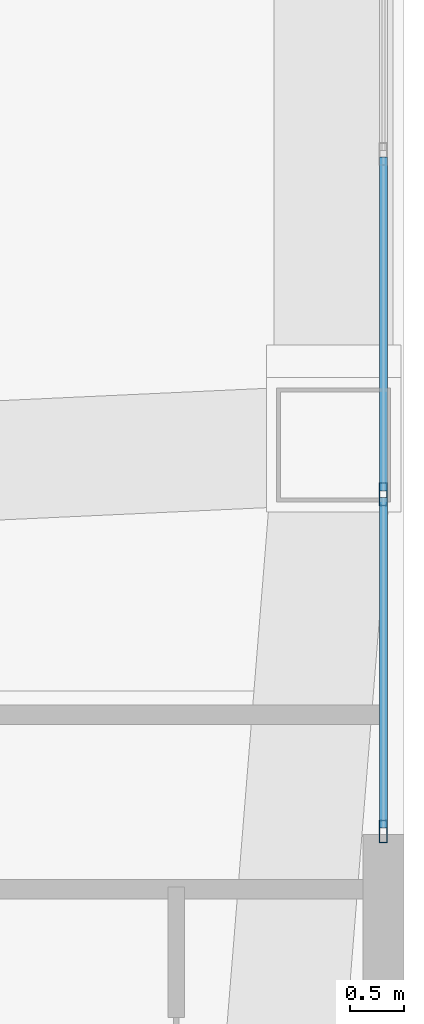
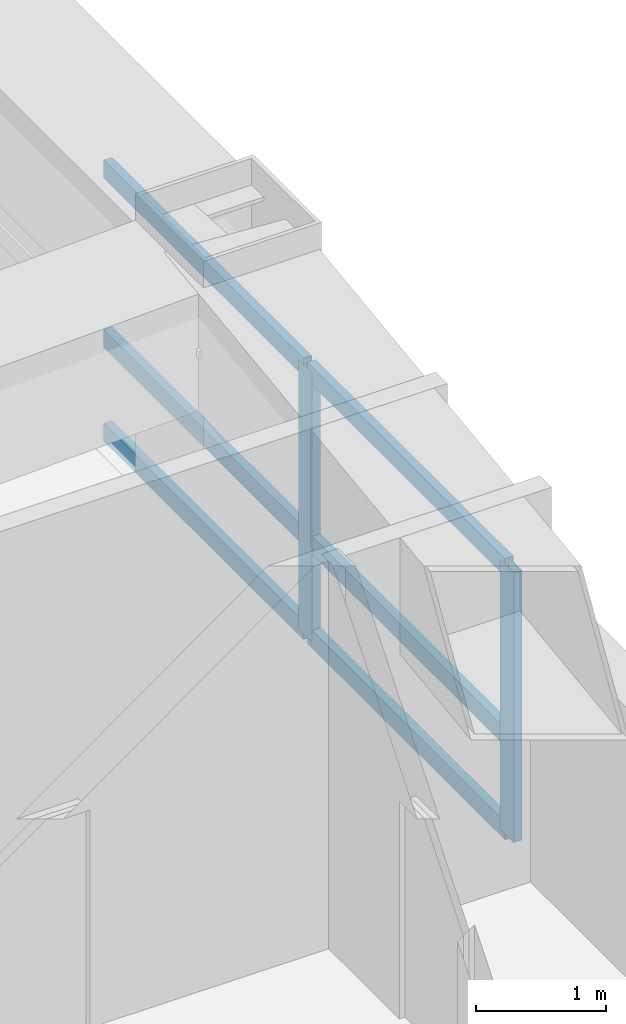
# One storey, part 2 of 16: 8 members, 1 element without a shape of its own.
"""IFC4 building model written with IfcOpenShell, lengths in metres."""

import ifcopenshell
import ifcopenshell.guid

model = None  # the IFC model being written
_history = None  # IfcOwnerHistory: only IFC2X3 demands one
_inside = {}  # id of a spatial element -> (the spatial element, [elements in it])
_under = {}  # id of a project, library or spatial element -> (it, [spatial elements below it])
_declared = {}  # id of a project -> (the project, [libraries it declares])
_typed = {}  # id of a type object -> (the type object, [elements of that type])
_made_of = {}  # id of a material, layer set ... -> (it, [elements and type objects made of it])


def new_model(schema):
    """Start an empty IFC model of exactly this schema.

    Asked for "IFC4X3", IfcOpenShell would pick the latest addendum, in which some entities
    have other attributes; the version numbers below select the first issue.
    IFC2X3 requires an IfcOwnerHistory on every rooted entity: one is made here for all.
    """
    global model, _history
    if schema == "IFC4X3":
        model = ifcopenshell.file(schema_version=(4, 3, 0, 0))
    else:
        model = ifcopenshell.file(schema=schema)
    _inside.clear()
    _under.clear()
    _declared.clear()
    _typed.clear()
    _made_of.clear()
    _history = None
    if model.schema == "IFC2X3":
        org = make("IfcOrganization", Name="unknown")
        user = make(
            "IfcPersonAndOrganization",
            ThePerson=make("IfcPerson", FamilyName="unknown"),
            TheOrganization=org,
        )
        app = make(
            "IfcApplication",
            ApplicationDeveloper=org,
            Version="unknown",
            ApplicationFullName="unknown",
            ApplicationIdentifier="unknown",
        )
        _history = make(
            "IfcOwnerHistory",
            OwningUser=user,
            OwningApplication=app,
            ChangeAction="ADDED",
            CreationDate=0,
        )
    return model


def make(cls, **values):
    """One entity of the class cls with the attributes given. An attribute that is None is left unset."""
    return model.create_entity(
        cls, **{name: value for name, value in values.items() if value is not None}
    )


def rooted(cls, **values):
    """An entity with a GlobalId (a new one), such as an element, a storey or a relation."""
    return make(cls, GlobalId=ifcopenshell.guid.new(), OwnerHistory=_history, **values)


def si_unit(unit_type, name, prefix=None):
    """IfcSIUnit, for example si_unit("LENGTHUNIT", "METRE", prefix="MILLI")."""
    return make("IfcSIUnit", UnitType=unit_type, Prefix=prefix, Name=name)


def assignment(units):
    """IfcUnitAssignment: the units of a project."""
    return None if units is None else make("IfcUnitAssignment", Units=units)


def point(xyz):
    """IfcCartesianPoint."""
    return None if xyz is None else make("IfcCartesianPoint", Coordinates=xyz)


def direction(xyz):
    """IfcDirection."""
    return None if xyz is None else make("IfcDirection", DirectionRatios=xyz)


def frame(location, z_axis=None, x_axis=None):
    """IfcAxis2Placement3D, a coordinate frame: its origin and axes. An axis left out is left unset."""
    return make(
        "IfcAxis2Placement3D",
        Location=point(location),
        Axis=direction(z_axis),
        RefDirection=direction(x_axis),
    )


def frame_2d(location, x_axis=None):
    """IfcAxis2Placement2D, a coordinate frame in the plane: its origin and x axis."""
    return make(
        "IfcAxis2Placement2D", Location=point(location), RefDirection=direction(x_axis)
    )


def origin():
    """The frame at (0, 0, 0) with its axes left unset."""
    return frame((0.0, 0.0, 0.0))


def origin_2d():
    """The frame at (0, 0) in the plane with its x axis left unset."""
    return frame_2d((0.0, 0.0))


def place(relative_to, where):
    """IfcLocalPlacement: puts the frame where relative to a parent placement (None: the world)."""
    return make(
        "IfcLocalPlacement", PlacementRelTo=relative_to, RelativePlacement=where
    )


def context(
    kind, dimensions, precision=None, world=None, true_north=None, identifier=None
):
    """IfcGeometricRepresentationContext, for example the 3D "Model" context."""
    return make(
        "IfcGeometricRepresentationContext",
        ContextIdentifier=identifier,
        ContextType=kind,
        CoordinateSpaceDimension=dimensions,
        Precision=precision,
        WorldCoordinateSystem=world,
        TrueNorth=true_north,
    )


def subcontext(parent, identifier, kind, view, scale=None):
    """IfcGeometricRepresentationSubContext, for example "Body" below "Model"."""
    return make(
        "IfcGeometricRepresentationSubContext",
        ContextIdentifier=identifier,
        ContextType=kind,
        ParentContext=parent,
        TargetScale=scale,
        TargetView=view,
    )


def project(units=None, contexts=None):
    """IfcProject with its units and contexts."""
    return rooted(
        "IfcProject",
        Name="project",
        RepresentationContexts=contexts,
        UnitsInContext=assignment(units),
    )


def spatial(cls, under=None, at=None, **own):
    """A site, building, storey or space (cls), placed at a placement, below another one or the project."""
    s = rooted(cls, ObjectPlacement=at, **own)
    if under is not None:
        _under.setdefault(under.id(), (under, []))[1].append(s)
    return s


def profile(cls, at=None, kind="AREA", **sizes):
    """A parametric profile (cls). Its sizes go by their IFC names, for example OverallWidth=200.0."""
    return make(cls, ProfileType=kind, Position=at, **sizes)


def hollow_rectangle(**sizes):
    """IfcRectangleHollowProfileDef."""
    return profile("IfcRectangleHollowProfileDef", **sizes)


def extrude(swept, where, along, depth):
    """IfcExtrudedAreaSolid: the profile swept, set in the frame where, extruded along a direction by depth."""
    return make(
        "IfcExtrudedAreaSolid",
        SweptArea=swept,
        Position=where,
        ExtrudedDirection=direction(along),
        Depth=depth,
    )


def shape(context_of_items, identifier, shape_type, items):
    """IfcShapeRepresentation: the items that make up one representation, for example the "Body"."""
    return make(
        "IfcShapeRepresentation",
        ContextOfItems=context_of_items,
        RepresentationIdentifier=identifier,
        RepresentationType=shape_type,
        Items=items,
    )


def material(Name=None, Category=None):
    """IfcMaterial."""
    return make("IfcMaterial", Name=Name, Category=Category)


def layer(
    of_material, thickness, ventilated=None, Name=None, Category=None, Priority=None
):
    """IfcMaterialLayer: one layer of a wall or slab, of a material (None: an air gap)."""
    return make(
        "IfcMaterialLayer",
        Material=of_material,
        LayerThickness=thickness,
        IsVentilated=ventilated,
        Name=Name,
        Category=Category,
        Priority=Priority,
    )


def layer_set(layers, Name=None):
    """IfcMaterialLayerSet."""
    return make("IfcMaterialLayerSet", MaterialLayers=layers, LayerSetName=Name)


def material_profile(
    of_material, cross_section, Name=None, Category=None, Priority=None
):
    """IfcMaterialProfile: a cross section and its material."""
    return make(
        "IfcMaterialProfile",
        Name=Name,
        Material=of_material,
        Profile=cross_section,
        Priority=Priority,
        Category=Category,
    )


def profile_set(profiles, Name=None, composite=None):
    """IfcMaterialProfileSet."""
    return make(
        "IfcMaterialProfileSet",
        Name=Name,
        MaterialProfiles=profiles,
        CompositeProfile=composite,
    )


def made_of(thing, what):
    """Note that an element or type object is made of a material, layer set ...; save() writes the relation."""
    if what is not None:
        _made_of.setdefault(what.id(), (what, []))[1].append(thing)
    return thing


def type_object(cls, material=None, **own):
    """A type object (cls), such as IfcWallType, which elements share."""
    return made_of(rooted(cls, **own), material)


def element(
    cls,
    number,
    at=None,
    inside=None,
    cuts=None,
    type_object=None,
    material=None,
    context=None,
    identifier="Body",
    shape_type=None,
    held_by="IfcProductDefinitionShape",
    body=None,
    shapes=None,
    **own,
):
    """One element of the class cls, such as IfcWall. Its Tag is "e" and its number.

    at: its placement. inside: the storey or other place that contains it. cuts: it is an
    opening in that element (IfcRelVoidsElement). A single representation is given by context,
    identifier, shape_type and body (its items); several are given by shapes. held_by: the class
    of the entity that holds the representations. save() writes the other relations.
    """
    e = rooted(cls, Tag="e%d" % number, ObjectPlacement=at, **own)
    if body is not None:
        shapes = [shape(context, identifier, shape_type, body)]
    if shapes is not None:
        e.Representation = make(held_by, Representations=shapes)
    if inside is not None:
        _inside.setdefault(inside.id(), (inside, []))[1].append(e)
    if cuts is not None:
        rooted(
            "IfcRelVoidsElement", RelatingBuildingElement=cuts, RelatedOpeningElement=e
        )
    if type_object is not None:
        _typed.setdefault(type_object.id(), (type_object, []))[1].append(e)
    return made_of(e, material)


def aggregate(whole, parts):
    """IfcRelAggregates: a whole, such as a stair, and the parts it consists of."""
    return rooted("IfcRelAggregates", RelatingObject=whole, RelatedObjects=parts)


def save(model, path):
    """Write the relations noted so far, then the file.

    IfcRelAggregates (storeys below a building ...), IfcRelContainedInSpatialStructure (elements
    in a storey), IfcRelDefinesByType, IfcRelAssociatesMaterial and IfcRelDeclares: one each for
    every whole, place, type object, material and project.
    """
    for whole, parts in _under.values():
        aggregate(whole, parts)
    for where, things in _inside.values():
        rooted(
            "IfcRelContainedInSpatialStructure",
            RelatedElements=things,
            RelatingStructure=where,
        )
    for kind, things in _typed.values():
        rooted("IfcRelDefinesByType", RelatedObjects=things, RelatingType=kind)
    for what, things in _made_of.values():
        rooted("IfcRelAssociatesMaterial", RelatedObjects=things, RelatingMaterial=what)
    for by, libraries in _declared.values():
        rooted("IfcRelDeclares", RelatingContext=by, RelatedDefinitions=libraries)
    model.write(path)


model = new_model("IFC4")

# Units and contexts
model_context = context("Model", 3, precision=1e-05, world=origin(), true_north=direction((0.0, 1.0)))
body_context = subcontext(model_context, "Body", "Model", "MODEL_VIEW")
ifc_project = project(units=[si_unit("LENGTHUNIT", "METRE"), si_unit("AREAUNIT", "SQUARE_METRE"), si_unit("VOLUMEUNIT", "CUBIC_METRE"), si_unit("PLANEANGLEUNIT", "RADIAN"), si_unit("MASSUNIT", "GRAM", prefix="KILO")], contexts=[model_context])

# Site, building, storey
site_placement = place(None, origin())
site = spatial("IfcSite", under=ifc_project, at=site_placement, CompositionType="ELEMENT")
building_placement = place(site_placement, origin())
building = spatial("IfcBuilding", under=site, at=building_placement, Name="Voryun Gate Residences", CompositionType="ELEMENT")
storey_placement = place(building_placement, frame((0.0, 0.0, 89.699951171875)))
storey = spatial("IfcBuildingStorey", under=building, at=storey_placement, Name="L21", CompositionType="ELEMENT", Elevation=89.699951171875)

# Curtain wall, members
ifc_material_1 = material(Name="Anodised aluminium", Category="aluminium")
ifc_layer = layer(ifc_material_1, 0.2099609375, Name="CW_SYS_SKYGARDEN_DARK_GLASS")
ifc_layer_set = layer_set([ifc_layer], Name="Anodised aluminium")
curtain_wall_type = type_object("IfcCurtainWallType", Name="CW_SYS_SKYGARDEN_DARK_GLASS", PredefinedType="NOTDEFINED", material=ifc_layer_set)
curtain_wall_placement = place(storey_placement, origin())
curtain_wall = element("IfcCurtainWall", 1, at=curtain_wall_placement, inside=storey, type_object=curtain_wall_type, Name="Curtain wall CW5-L21-SG-16", PredefinedType="NOTDEFINED")
ifc_material_2 = material(Name="Anodised aluminium", Category="aluminium")
ifc_material_profile_1 = material_profile(ifc_material_2, hollow_rectangle(XDim=0.074951171875, YDim=0.2099609375, WallThickness=0.0048828125, at=origin_2d()), Name="ALU-MULL-210x75x5")
ifc_profile_set_1 = profile_set([ifc_material_profile_1], Name="Anodised aluminium")
member_type_1 = type_object("IfcMemberType", Name="CW_MULL_SKY", PredefinedType="MULLION", material=ifc_profile_set_1)
member_1_placement = place(storey_placement, frame((33.2099609375, -7.25439453125, 0.0), z_axis=(0.0, 0.0, 1.0), x_axis=(1.0, 0.0, 0.0)))
member_1 = element("IfcMember", 2, at=member_1_placement, type_object=member_type_1, Name="CW5 mullion 7", PredefinedType="MULLION", context=body_context, shape_type="SweptSolid", body=[
    extrude(hollow_rectangle(XDim=0.074951171875, YDim=0.2099609375, WallThickness=0.0048828125, at=origin_2d()), origin(), (0.0, 0.0, 1.0), 2.5400390625),
])
member_2_placement = place(storey_placement, frame((33.2099609375, -10.365966796875, 0.0), z_axis=(0.0, 0.0, 1.0), x_axis=(1.0, 0.0, 0.0)))
member_2 = element("IfcMember", 3, at=member_2_placement, type_object=member_type_1, Name="CW5 mullion 8", PredefinedType="MULLION", context=body_context, shape_type="SweptSolid", body=[
    extrude(hollow_rectangle(XDim=0.074951171875, YDim=0.2099609375, WallThickness=0.0048828125, at=origin_2d()), origin(), (0.0, 0.0, 1.0), 2.5400390625),
])
ifc_material_3 = material(Name="Anodised aluminium", Category="aluminium")
ifc_material_profile_2 = material_profile(ifc_material_3, hollow_rectangle(XDim=0.074951171875, YDim=0.169921875, WallThickness=0.0048828125, at=origin_2d()), Name="ALU-TRAN-170x75x5")
ifc_profile_set_2 = profile_set([ifc_material_profile_2], Name="Anodised aluminium")
member_type_2 = type_object("IfcMemberType", Name="CW_TRAN_SKY", PredefinedType="USERDEFINED", material=ifc_profile_set_2)
member_3_placement = place(storey_placement, frame((33.2099609375, -4.142578125, 0.030029296875), z_axis=(0.0, -1.0, 0.0), x_axis=(1.0, 0.0, 0.0)))
member_3 = element("IfcMember", 4, at=member_3_placement, type_object=member_type_2, Name="CW5 transom 6.1", ObjectType="TRANSOM", PredefinedType="USERDEFINED", context=body_context, shape_type="SweptSolid", body=[
    extrude(hollow_rectangle(XDim=0.074951171875, YDim=0.169921875, WallThickness=0.0048828125, at=origin_2d()), origin(), (0.0, 0.0, 1.0), 3.081787109375),
])
member_4_placement = place(storey_placement, frame((33.2099609375, -4.142578125, 0.91455078125), z_axis=(0.0, -1.0, 0.0), x_axis=(1.0, 0.0, 0.0)))
member_4 = element("IfcMember", 5, at=member_4_placement, type_object=member_type_2, Name="CW5 transom 6.2", ObjectType="TRANSOM", PredefinedType="USERDEFINED", context=body_context, shape_type="SweptSolid", body=[
    extrude(hollow_rectangle(XDim=0.074951171875, YDim=0.169921875, WallThickness=0.0048828125, at=origin_2d()), origin(), (0.0, 0.0, 1.0), 3.081787109375),
])
member_5_placement = place(storey_placement, frame((33.2099609375, -4.142578125, 2.510009765625), z_axis=(0.0, -1.0, 0.0), x_axis=(1.0, 0.0, 0.0)))
member_5 = element("IfcMember", 6, at=member_5_placement, type_object=member_type_2, Name="CW5 transom 6.3", ObjectType="TRANSOM", PredefinedType="USERDEFINED", context=body_context, shape_type="SweptSolid", body=[
    extrude(hollow_rectangle(XDim=0.074951171875, YDim=0.169921875, WallThickness=0.0048828125, at=origin_2d()), origin(), (0.0, 0.0, 1.0), 3.081787109375),
])
member_6_placement = place(storey_placement, frame((33.2099609375, -7.2841796875, 0.030029296875), z_axis=(0.0, -1.0, 0.0), x_axis=(1.0, 0.0, 0.0)))
member_6 = element("IfcMember", 7, at=member_6_placement, type_object=member_type_2, Name="CW5 transom 7.1", ObjectType="TRANSOM", PredefinedType="USERDEFINED", context=body_context, shape_type="SweptSolid", body=[
    extrude(hollow_rectangle(XDim=0.074951171875, YDim=0.169921875, WallThickness=0.0048828125, at=origin_2d()), origin(), (0.0, 0.0, 1.0), 3.0517578125),
])
member_7_placement = place(storey_placement, frame((33.2099609375, -7.2841796875, 0.91455078125), z_axis=(0.0, -1.0, 0.0), x_axis=(1.0, 0.0, 0.0)))
member_7 = element("IfcMember", 8, at=member_7_placement, type_object=member_type_2, Name="CW5 transom 7.2", ObjectType="TRANSOM", PredefinedType="USERDEFINED", context=body_context, shape_type="SweptSolid", body=[
    extrude(hollow_rectangle(XDim=0.074951171875, YDim=0.169921875, WallThickness=0.0048828125, at=origin_2d()), origin(), (0.0, 0.0, 1.0), 3.0517578125),
])
member_8_placement = place(storey_placement, frame((33.2099609375, -7.2841796875, 2.510009765625), z_axis=(0.0, -1.0, 0.0), x_axis=(1.0, 0.0, 0.0)))
member_8 = element("IfcMember", 9, at=member_8_placement, type_object=member_type_2, Name="CW5 transom 7.3", ObjectType="TRANSOM", PredefinedType="USERDEFINED", context=body_context, shape_type="SweptSolid", body=[
    extrude(hollow_rectangle(XDim=0.074951171875, YDim=0.169921875, WallThickness=0.0048828125, at=origin_2d()), origin(), (0.0, 0.0, 1.0), 3.0517578125),
])
aggregate(curtain_wall, [member_1, member_2, member_3, member_4, member_5, member_6, member_7, member_8])

save(model, "model.ifc")
